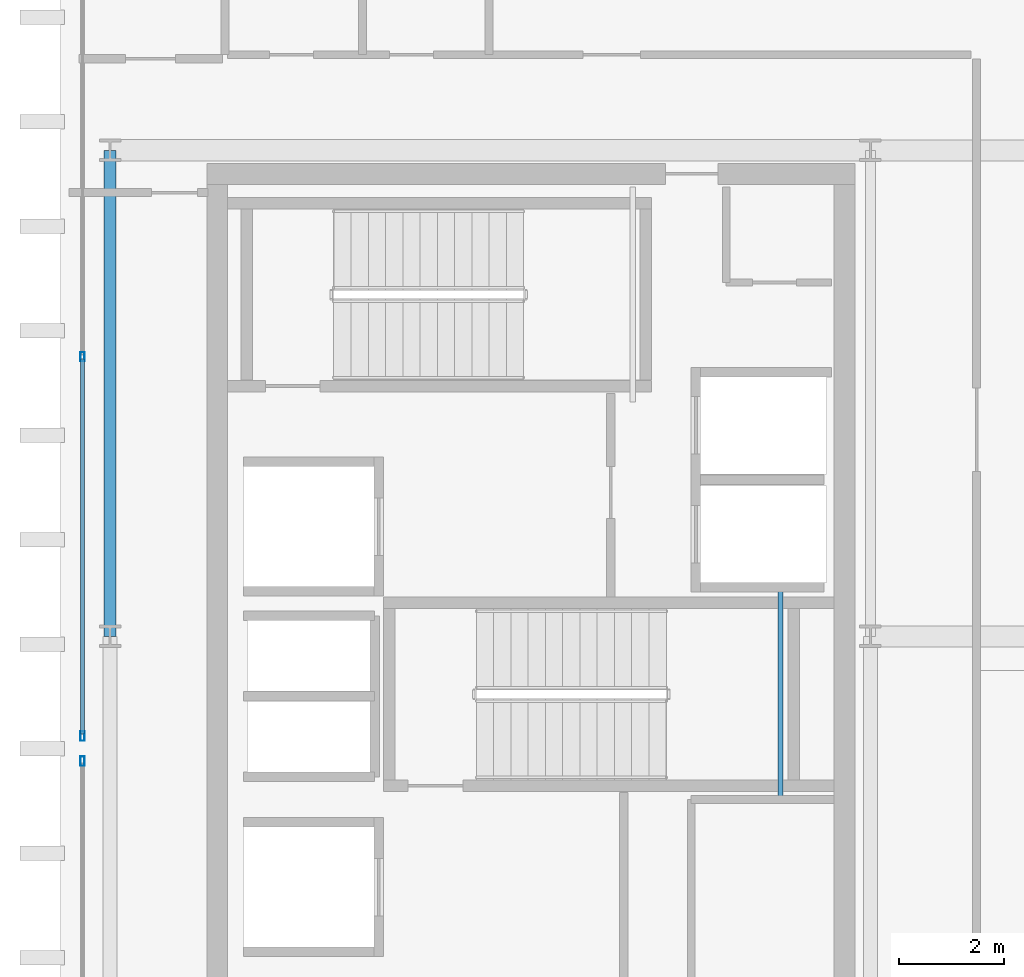
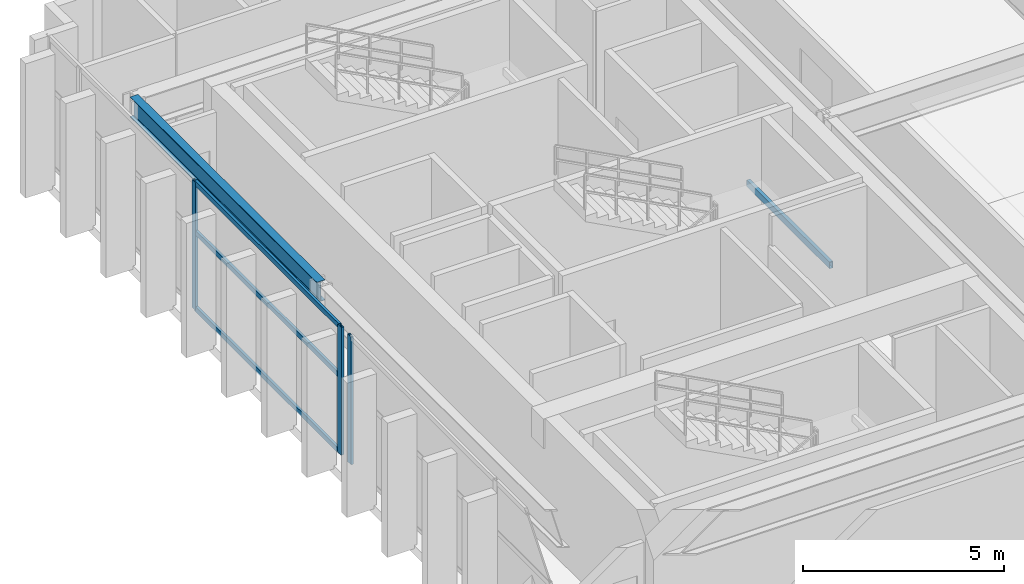
# One storey, part 5 of 15: 6 members, 2 beams, 2 elements without a shape of their own.
"""IFC4 building model written with IfcOpenShell, lengths in metres."""

from ifc_helpers import new_model, si_unit, direction, frame, origin, origin_2d, place, context, subcontext, project, spatial, hollow_rectangle, i_section, extrude, source, transform, mapped, material, layer, layer_set, material_profile, profile_set, type_object, element, aggregate, save


model = new_model("IFC4")

# Units and contexts
model_context = context("Model", 3, precision=1e-05, world=origin(), true_north=direction((0.0, 1.0)))
body_context = subcontext(model_context, "Body", "Model", "MODEL_VIEW")
ifc_project = project(units=[si_unit("LENGTHUNIT", "METRE"), si_unit("AREAUNIT", "SQUARE_METRE"), si_unit("VOLUMEUNIT", "CUBIC_METRE"), si_unit("PLANEANGLEUNIT", "RADIAN"), si_unit("MASSUNIT", "GRAM", prefix="KILO")], contexts=[model_context])

# Site, building, storey
site_placement = place(None, origin())
site = spatial("IfcSite", under=ifc_project, at=site_placement, CompositionType="ELEMENT")
building_placement = place(site_placement, origin())
building = spatial("IfcBuilding", under=site, at=building_placement, Name="Ocotamira Hotel", CompositionType="ELEMENT")
storey_placement = place(building_placement, frame((0.0, 0.0, 305.39990234375)))
storey = spatial("IfcBuildingStorey", under=building, at=storey_placement, Name="L78", CompositionType="ELEMENT", Elevation=305.39990234375)

# Beams
ifc_material_1 = material(Name="Steel ASTM A500 Grade C", Category="steel")
ifc_material_profile_1 = material_profile(ifc_material_1, hollow_rectangle(XDim=0.10009765625, YDim=0.199951171875, WallThickness=0.008056640625, at=origin_2d()), Name="HSS200X100X8")
ifc_profile_set_1 = profile_set([ifc_material_profile_1], Name="Steel ASTM A500 Grade C")
beam_type_1 = type_object("IfcBeamType", Name="BM-STLDG-HSS200", PredefinedType="BEAM", material=ifc_profile_set_1)
shared_shape_1 = source(origin(), body_context, "Body", "SweptSolid", [
    extrude(hollow_rectangle(XDim=0.10009765625, YDim=0.199951171875, WallThickness=0.008056640625, at=origin_2d()), origin(), (0.0, 0.0, 1.0), 4.1201171875),
])
beam_1_placement = place(storey_placement, frame((21.780029296875, 24.97998046875, 1.800048828125), z_axis=(0.0, 1.0, 0.0), x_axis=(-1.0, 0.0, 0.0)))
element("IfcBeam", 1, at=beam_1_placement, inside=storey, type_object=beam_type_1, Name="L78 Stair ST-3 Landing Bearer 1", PredefinedType="BEAM", context=body_context, shape_type="MappedRepresentation", body=[
    mapped(shared_shape_1, transform((0.0, 0.0, 0.0), scale=1.0)),
])
ifc_material_2 = material(Name="Steel ASTM A992 Grade 50", Category="steel")
ifc_material_profile_2 = material_profile(ifc_material_2, i_section(OverallWidth=0.22998046875, OverallDepth=0.616943359375, WebThickness=0.01318359375, FlangeThickness=0.022216796875, FilletRadius=0.012939453125, at=origin_2d()), Name="W24X94")
ifc_profile_set_2 = profile_set([ifc_material_profile_2], Name="Steel ASTM A992 Grade 50")
beam_type_2 = type_object("IfcBeamType", Name="BM-PRIM-W24X94", PredefinedType="BEAM", material=ifc_profile_set_2)
shared_shape_2 = source(origin(), body_context, "Body", "SweptSolid", [
    extrude(i_section(OverallWidth=0.22998046875, OverallDepth=0.616943359375, WebThickness=0.01318359375, FlangeThickness=0.022216796875, FilletRadius=0.012939453125, at=origin_2d()), origin(), (0.0, 0.0, 1.0), 9.300048828125),
])
beam_2_placement = place(storey_placement, frame((8.949951171875, 28.14990234375, 3.571533203125), z_axis=(0.0, 1.0, 0.0), x_axis=(-1.0, 0.0, 0.0)))
element("IfcBeam", 2, at=beam_2_placement, inside=storey, type_object=beam_type_2, Name="L78 Beam X8.95 Y28.15-37.45", PredefinedType="BEAM", context=body_context, shape_type="MappedRepresentation", body=[
    mapped(shared_shape_2, transform((0.0, 0.0, 0.0), scale=1.0)),
])

# Curtain wall, members
ifc_material_3 = material(Name="Anodised pale-metal aluminium and solar glass", Category="aluminium")
ifc_layer = layer(ifc_material_3, 0.2099609375)
ifc_layer_set = layer_set([ifc_layer], Name="Anodised pale-metal aluminium and solar glass")
curtain_wall_type = type_object("IfcCurtainWallType", Name="CW-SYS7-PEAK", PredefinedType="NOTDEFINED", material=ifc_layer_set)
curtain_wall_1_placement = place(storey_placement, origin())
curtain_wall_1 = element("IfcCurtainWall", 3, at=curtain_wall_1_placement, inside=storey, type_object=curtain_wall_type, Name="L78 Curtain Wall CW-7 CW-L78-W2", PredefinedType="NOTDEFINED")
ifc_material_4 = material(Name="Anodised pale-metal aluminium 6063-T6", Category="aluminium")
ifc_material_profile_3 = material_profile(ifc_material_4, hollow_rectangle(XDim=0.074951171875, YDim=0.14990234375, WallThickness=0.006103515625, at=origin_2d()), Name="HSS150X75X6")
ifc_profile_set_3 = profile_set([ifc_material_profile_3], Name="Anodised pale-metal aluminium 6063-T6")
member_type_1 = type_object("IfcMemberType", Name="CWT-150X75", PredefinedType="USERDEFINED", material=ifc_profile_set_3)
shared_shape_3 = source(origin(), body_context, "Body", "SweptSolid", [
    extrude(hollow_rectangle(XDim=0.074951171875, YDim=0.14990234375, WallThickness=0.006103515625, at=origin_2d()), origin(), (0.0, 0.0, 1.0), 7.179931640625),
])
member_1_placement = place(storey_placement, frame((8.419921875, 26.280029296875, 0.03759765625), z_axis=(0.0, 1.0, 0.0), x_axis=(-1.0, 0.0, 0.0)))
member_1 = element("IfcMember", 4, at=member_1_placement, type_object=member_type_1, Name="CW-7 transom 1.1", ObjectType="TRANSOM", PredefinedType="USERDEFINED", context=body_context, shape_type="MappedRepresentation", body=[
    mapped(shared_shape_3, transform((0.0, 0.0, 0.0), scale=1.0)),
])
member_2_placement = place(storey_placement, frame((8.419921875, 26.280029296875, 2.35009765625), z_axis=(0.0, 1.0, 0.0), x_axis=(-1.0, 0.0, 0.0)))
member_2 = element("IfcMember", 5, at=member_2_placement, type_object=member_type_1, Name="CW-7 transom 1.2", ObjectType="TRANSOM", PredefinedType="USERDEFINED", context=body_context, shape_type="MappedRepresentation", body=[
    mapped(shared_shape_3, transform((0.0, 0.0, 0.0), scale=1.0)),
])
member_3_placement = place(storey_placement, frame((8.419921875, 26.280029296875, 3.842529296875), z_axis=(0.0, 1.0, 0.0), x_axis=(-1.0, 0.0, 0.0)))
member_3 = element("IfcMember", 6, at=member_3_placement, type_object=member_type_1, Name="CW-7 transom 1.3", ObjectType="TRANSOM", PredefinedType="USERDEFINED", context=body_context, shape_type="MappedRepresentation", body=[
    mapped(shared_shape_3, transform((0.0, 0.0, 0.0), scale=1.0)),
])

# Curtain wall, member
curtain_wall_2_placement = place(storey_placement, origin())
curtain_wall_2 = element("IfcCurtainWall", 7, at=curtain_wall_2_placement, inside=storey, type_object=curtain_wall_type, Name="L78 Curtain Wall CW-7 CW-L78-W1", PredefinedType="NOTDEFINED")
ifc_material_profile_4 = material_profile(ifc_material_4, hollow_rectangle(XDim=0.080078125, YDim=0.179931640625, WallThickness=0.006103515625, at=origin_2d()), Name="HSS180X80X6")
ifc_profile_set_4 = profile_set([ifc_material_profile_4], Name="Anodised pale-metal aluminium 6063-T6")
member_type_2 = type_object("IfcMemberType", Name="CWM-180X75", PredefinedType="MULLION", material=ifc_profile_set_4)
shared_shape_4 = source(origin(), body_context, "Body", "SweptSolid", [
    extrude(hollow_rectangle(XDim=0.080078125, YDim=0.179931640625, WallThickness=0.006103515625, at=origin_2d()), origin(), (0.0, 0.0, 1.0), 3.880126953125),
])
member_4_placement = place(storey_placement, frame((8.419921875, 25.760009765625, 0.0), z_axis=(0.0, 0.0, 1.0), x_axis=(-1.0, 0.0, 0.0)))
member_4 = element("IfcMember", 8, at=member_4_placement, type_object=member_type_2, Name="CW-7 mullion 3", PredefinedType="MULLION", context=body_context, shape_type="MappedRepresentation", body=[
    mapped(shared_shape_4, transform((0.0, 0.0, 0.0), scale=1.0)),
])
aggregate(curtain_wall_2, [member_4])

# Member
member_5_placement = place(storey_placement, frame((8.419921875, 26.239990234375, 0.0), z_axis=(0.0, 0.0, 1.0), x_axis=(-1.0, 0.0, 0.0)))
member_5 = element("IfcMember", 9, at=member_5_placement, type_object=member_type_2, Name="CW-7 mullion 1", PredefinedType="MULLION", context=body_context, shape_type="MappedRepresentation", body=[
    mapped(shared_shape_4, transform((0.0, 0.0, 0.0), scale=1.0)),
])

member_6_placement = place(storey_placement, frame((8.419921875, 33.5, 0.0), z_axis=(0.0, 0.0, 1.0), x_axis=(-1.0, 0.0, 0.0)))
member_6 = element("IfcMember", 10, at=member_6_placement, type_object=member_type_2, Name="CW-7 mullion 2", PredefinedType="MULLION", context=body_context, shape_type="MappedRepresentation", body=[
    mapped(shared_shape_4, transform((0.0, 0.0, 0.0), scale=1.0)),
])

aggregate(curtain_wall_1, [member_5, member_6, member_1, member_2, member_3])

save(model, "model.ifc")
